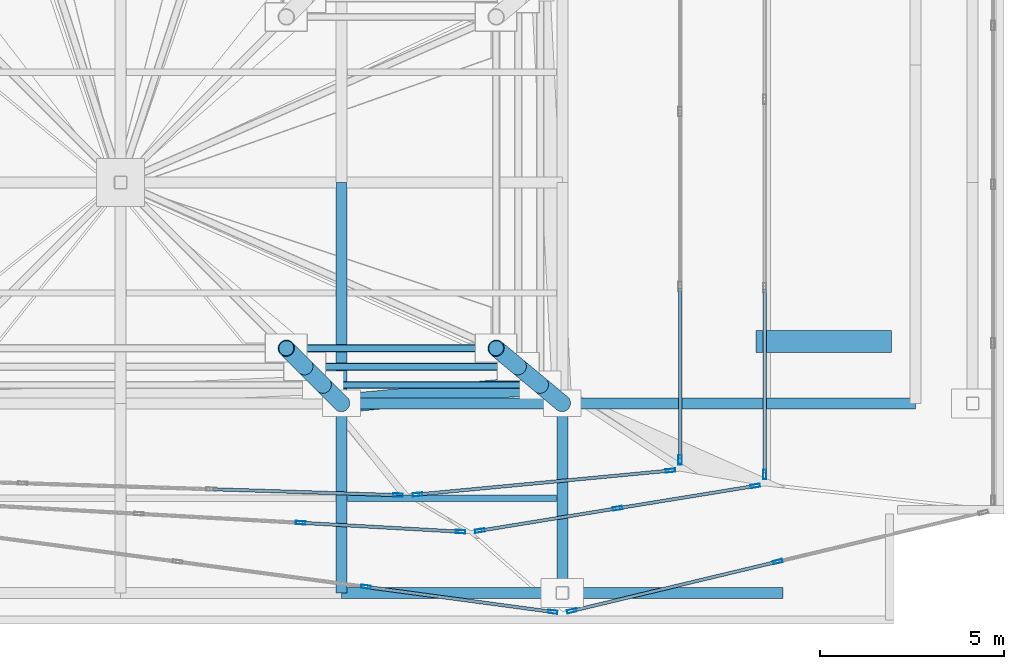
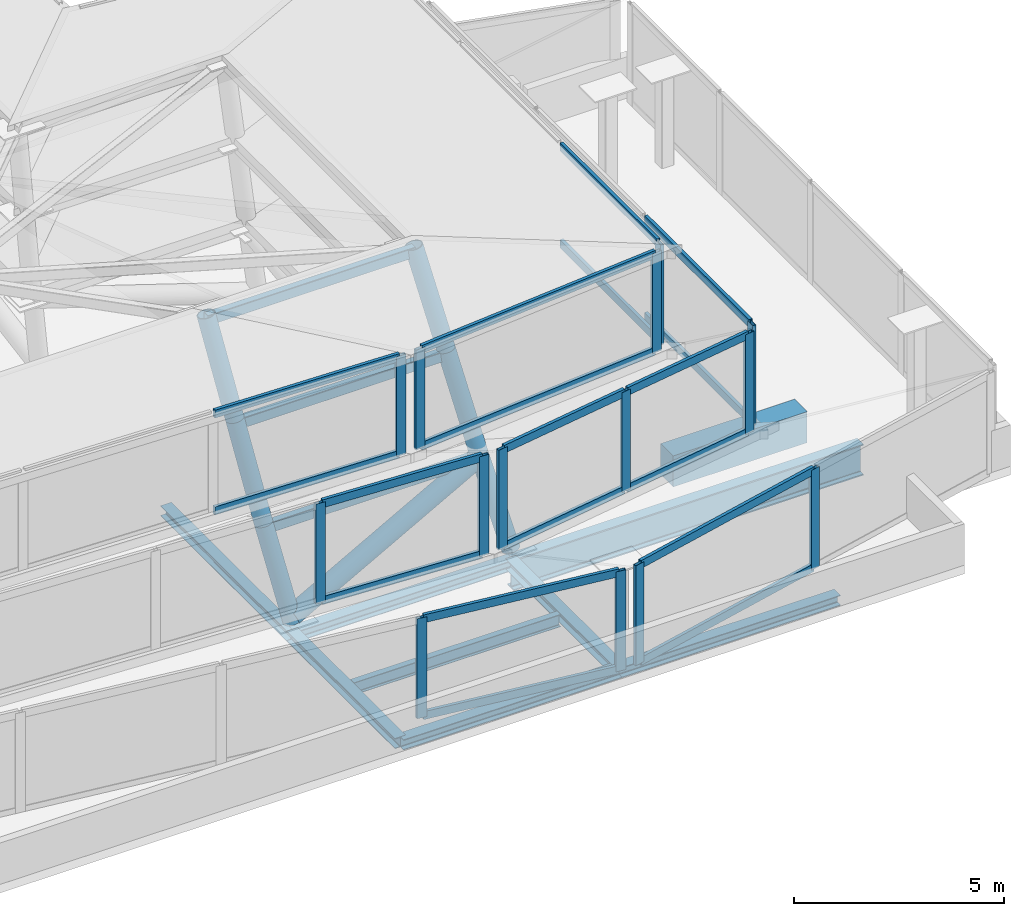
# One storey, part 4 of 15: 39 members, 12 beams, 8 elements without a shape of their own.
"""IFC4 building model written with IfcOpenShell, lengths in metres."""

from ifc_helpers import new_model, si_unit, direction, frame, origin, origin_2d, place, context, subcontext, project, spatial, rectangle, hollow_rectangle, hollow_circle, i_section, extrude, material, layer, layer_set, material_profile, profile_set, type_object, element, aggregate, save


model = new_model("IFC4")

# Units and contexts
model_context = context("Model", 3, precision=1e-05, world=origin(), true_north=direction((0.0, 1.0)))
body_context = subcontext(model_context, "Body", "Model", "MODEL_VIEW")
ifc_project = project(units=[si_unit("LENGTHUNIT", "METRE"), si_unit("AREAUNIT", "SQUARE_METRE"), si_unit("VOLUMEUNIT", "CUBIC_METRE"), si_unit("PLANEANGLEUNIT", "RADIAN"), si_unit("MASSUNIT", "GRAM", prefix="KILO"), si_unit("THERMODYNAMICTEMPERATUREUNIT", "KELVIN"), si_unit("POWERUNIT", "WATT")], contexts=[model_context])

# Site, building, storey
site_placement = place(None, origin())
site = spatial("IfcSite", under=ifc_project, at=site_placement, CompositionType="ELEMENT")
building_placement = place(site_placement, origin())
building = spatial("IfcBuilding", under=site, at=building_placement, Name="Svarakhadi Broadcast Tower", CompositionType="ELEMENT")
storey_placement = place(building_placement, frame((0.0, 0.0, 310.5)))
storey = spatial("IfcBuildingStorey", under=building, at=storey_placement, Name="RF", CompositionType="ELEMENT", Elevation=310.5)

# Beam
ifc_material_1 = material(Name="Steel S355J2 (IS 2062 E350C)", Category="steel")
ifc_material_profile_1 = material_profile(ifc_material_1, i_section(OverallWidth=0.169921875, OverallDepth=0.360107421875, WebThickness=0.008056640625, FlangeThickness=0.0126953125, FilletRadius=0.01806640625, at=origin_2d()), Name="NPB 360x170x57")
ifc_profile_set_1 = profile_set([ifc_material_profile_1], Name="Steel S355J2 (IS 2062 E350C)")
beam_type_1 = type_object("IfcBeamType", Name="Beam_NPB360", PredefinedType="BEAM", material=ifc_profile_set_1)
beam_1_placement = place(storey_placement, frame((18.159912109375, 3.425048828125, -0.429931640625), z_axis=(1.0, 0.0, 0.0), x_axis=(0.0, 1.0, 0.0)))
element("IfcBeam", 1, at=beam_1_placement, inside=storey, type_object=beam_type_1, Name="RF Secondary Composite Beam SB010", PredefinedType="BEAM", context=body_context, shape_type="SweptSolid", body=[
    extrude(i_section(OverallWidth=0.169921875, OverallDepth=0.360107421875, WebThickness=0.008056640625, FlangeThickness=0.0126953125, FilletRadius=0.01806640625, at=origin_2d()), origin(), (0.0, 0.0, 1.0), 5.68017578125),
])

# Curtain wall, members
ifc_material_2 = material(Name="Anodised Bronze Aluminium AA 6063-T6", Category="aluminium")
ifc_layer = layer(ifc_material_2, 0.260009765625)
ifc_layer_set = layer_set([ifc_layer], Name="Anodised Bronze Aluminium AA 6063-T6")
curtain_wall_type = type_object("IfcCurtainWallType", Name="CW_Sys_07", PredefinedType="NOTDEFINED", material=ifc_layer_set)
curtain_wall_1_placement = place(storey_placement, origin())
curtain_wall_1 = element("IfcCurtainWall", 2, at=curtain_wall_1_placement, inside=storey, type_object=curtain_wall_type, Name="Crown Tier 1 Faceted Curtain Wall 1", PredefinedType="NOTDEFINED")
ifc_material_profile_2 = material_profile(ifc_material_2, hollow_rectangle(XDim=0.090087890625, YDim=0.260009765625, WallThickness=0.005615234375, at=origin_2d()), Name="ALU MULLION 260x90x6")
ifc_profile_set_2 = profile_set([ifc_material_profile_2], Name="Anodised Bronze Aluminium AA 6063-T6")
member_type_1 = type_object("IfcMemberType", Name="CW_Sys_07_Mul", PredefinedType="MULLION", material=ifc_profile_set_2)
member_1_placement = place(storey_placement, frame((18.666015625, 1.0146484375, 0.0), z_axis=(0.0, 0.0, 1.0), x_axis=(0.132786779994, 0.991144626711, 0.0)))
member_1 = element("IfcMember", 3, at=member_1_placement, type_object=member_type_1, Name="CW-07 mullion 4", PredefinedType="MULLION", context=body_context, shape_type="SweptSolid", body=[
    extrude(hollow_rectangle(XDim=0.090087890625, YDim=0.260009765625, WallThickness=0.005615234375, at=origin_2d()), origin(), (0.0, 0.0, 1.0), 2.89990234375),
])
member_2_placement = place(storey_placement, frame((23.7373046875, 0.335205078125, 0.0), z_axis=(0.0, 0.0, 1.0), x_axis=(0.132786779994, 0.991144626711, 0.0)))
member_2 = element("IfcMember", 4, at=member_2_placement, type_object=member_type_1, Name="CW-07 mullion 5", PredefinedType="MULLION", context=body_context, shape_type="SweptSolid", body=[
    extrude(hollow_rectangle(XDim=0.090087890625, YDim=0.260009765625, WallThickness=0.005615234375, at=origin_2d()), origin(), (0.0, 0.0, 1.0), 2.89990234375),
])

curtain_wall_2_placement = place(storey_placement, origin())
curtain_wall_2 = element("IfcCurtainWall", 5, at=curtain_wall_2_placement, inside=storey, type_object=curtain_wall_type, Name="Crown Tier 1 Faceted Curtain Wall 2", PredefinedType="NOTDEFINED")
member_3_placement = place(storey_placement, frame((24.2578125, 0.361572265625, 0.0), z_axis=(0.0, 0.0, 1.0), x_axis=(-0.232746369309, 0.972537468468, 0.0)))
member_3 = element("IfcMember", 6, at=member_3_placement, type_object=member_type_1, Name="CW-07 mullion 1", PredefinedType="MULLION", context=body_context, shape_type="SweptSolid", body=[
    extrude(hollow_rectangle(XDim=0.090087890625, YDim=0.260009765625, WallThickness=0.005615234375, at=origin_2d()), origin(), (0.0, 0.0, 1.0), 2.89990234375),
])
member_4_placement = place(storey_placement, frame((29.85009765625, 1.699951171875, 0.0), z_axis=(0.0, 0.0, 1.0), x_axis=(-0.232746369309, 0.972537468468, 0.0)))
member_4 = element("IfcMember", 7, at=member_4_placement, type_object=member_type_1, Name="CW-07 mullion 2", PredefinedType="MULLION", context=body_context, shape_type="SweptSolid", body=[
    extrude(hollow_rectangle(XDim=0.090087890625, YDim=0.260009765625, WallThickness=0.005615234375, at=origin_2d()), origin(), (0.0, 0.0, 1.0), 2.89990234375),
])

curtain_wall_3_placement = place(storey_placement, origin())
curtain_wall_3 = element("IfcCurtainWall", 8, at=curtain_wall_3_placement, inside=storey, type_object=curtain_wall_type, Name="Crown Tier 2 Faceted Curtain Wall 1", PredefinedType="NOTDEFINED")
member_5_placement = place(storey_placement, frame((16.89013671875, 2.756103515625, 2.89990234375), z_axis=(0.0, 0.0, 1.0), x_axis=(0.055470649433, 0.998460318216, 0.0)))
member_5 = element("IfcMember", 9, at=member_5_placement, type_object=member_type_1, Name="CW-07 mullion 4", PredefinedType="MULLION", context=body_context, shape_type="SweptSolid", body=[
    extrude(hollow_rectangle(XDim=0.090087890625, YDim=0.260009765625, WallThickness=0.005615234375, at=origin_2d()), origin(), (0.0, 0.0, 1.0), 2.900146484375),
])
member_6_placement = place(storey_placement, frame((21.2353515625, 2.5146484375, 2.89990234375), z_axis=(0.0, 0.0, 1.0), x_axis=(0.055470649433, 0.998460318216, 0.0)))
member_6 = element("IfcMember", 10, at=member_6_placement, type_object=member_type_1, Name="CW-07 mullion 5", PredefinedType="MULLION", context=body_context, shape_type="SweptSolid", body=[
    extrude(hollow_rectangle(XDim=0.090087890625, YDim=0.260009765625, WallThickness=0.005615234375, at=origin_2d()), origin(), (0.0, 0.0, 1.0), 2.900146484375),
])

curtain_wall_4_placement = place(storey_placement, origin())
curtain_wall_4 = element("IfcCurtainWall", 11, at=curtain_wall_4_placement, inside=storey, type_object=curtain_wall_type, Name="Crown Tier 2 Faceted Curtain Wall 2", PredefinedType="NOTDEFINED")
member_7_placement = place(storey_placement, frame((21.76171875, 2.54248046875, 2.89990234375), z_axis=(0.0, 0.0, 1.0), x_axis=(-0.16039479828, 0.987052941176, 0.0)))
member_7 = element("IfcMember", 12, at=member_7_placement, type_object=member_type_1, Name="CW-07 mullion 1", PredefinedType="MULLION", context=body_context, shape_type="SweptSolid", body=[
    extrude(hollow_rectangle(XDim=0.090087890625, YDim=0.260009765625, WallThickness=0.005615234375, at=origin_2d()), origin(), (0.0, 0.0, 1.0), 2.900146484375),
])
member_8_placement = place(storey_placement, frame((25.5, 3.14990234375, 2.89990234375), z_axis=(0.0, 0.0, 1.0), x_axis=(-0.16039479828, 0.987052941176, 0.0)))
member_8 = element("IfcMember", 13, at=member_8_placement, type_object=member_type_1, Name="CW-07 mullion 2", PredefinedType="MULLION", context=body_context, shape_type="SweptSolid", body=[
    extrude(hollow_rectangle(XDim=0.090087890625, YDim=0.260009765625, WallThickness=0.005615234375, at=origin_2d()), origin(), (0.0, 0.0, 1.0), 2.900146484375),
])
member_9_placement = place(storey_placement, frame((29.23828125, 3.757568359375, 2.89990234375), z_axis=(0.0, 0.0, 1.0), x_axis=(-0.16039479828, 0.987052941176, 0.0)))
member_9 = element("IfcMember", 14, at=member_9_placement, type_object=member_type_1, Name="CW-07 mullion 3", PredefinedType="MULLION", context=body_context, shape_type="SweptSolid", body=[
    extrude(hollow_rectangle(XDim=0.090087890625, YDim=0.260009765625, WallThickness=0.005615234375, at=origin_2d()), origin(), (0.0, 0.0, 1.0), 2.900146484375),
])

# Curtain wall, member
curtain_wall_5_placement = place(storey_placement, origin())
curtain_wall_5 = element("IfcCurtainWall", 15, at=curtain_wall_5_placement, inside=storey, type_object=curtain_wall_type, Name="Crown Tier 2 Faceted Curtain Wall 3", PredefinedType="NOTDEFINED")
member_10_placement = place(storey_placement, frame((29.5, 4.06494140625, 2.89990234375), z_axis=(0.0, 0.0, 1.0), x_axis=(-1.0, 0.0, 0.0)))
member_10 = element("IfcMember", 16, at=member_10_placement, type_object=member_type_1, Name="CW-07 mullion 1", PredefinedType="MULLION", context=body_context, shape_type="SweptSolid", body=[
    extrude(hollow_rectangle(XDim=0.090087890625, YDim=0.260009765625, WallThickness=0.005615234375, at=origin_2d()), origin(), (0.0, 0.0, 1.0), 2.900146484375),
])

curtain_wall_6_placement = place(storey_placement, origin())
curtain_wall_6 = element("IfcCurtainWall", 17, at=curtain_wall_6_placement, inside=storey, type_object=curtain_wall_type, Name="Crown Tier 3 Faceted Curtain Wall 1", PredefinedType="NOTDEFINED")
member_11_placement = place(storey_placement, frame((19.53515625, 3.508544921875, 5.800048828125), z_axis=(0.0, 0.0, 1.0), x_axis=(0.031624387345, 0.999499823974, 0.0)))
member_11 = element("IfcMember", 18, at=member_11_placement, type_object=member_type_1, Name="CW-07 mullion 4", PredefinedType="MULLION", context=body_context, shape_type="SweptSolid", body=[
    extrude(hollow_rectangle(XDim=0.090087890625, YDim=0.260009765625, WallThickness=0.005615234375, at=origin_2d()), origin(), (0.0, 0.0, 1.0), 2.89990234375),
])

# Curtain wall, members
curtain_wall_7_placement = place(storey_placement, origin())
curtain_wall_7 = element("IfcCurtainWall", 19, at=curtain_wall_7_placement, inside=storey, type_object=curtain_wall_type, Name="Crown Tier 3 Faceted Curtain Wall 2", PredefinedType="NOTDEFINED")
member_12_placement = place(storey_placement, frame((20.063720703125, 3.52490234375, 5.800048828125), z_axis=(0.0, 0.0, 1.0), x_axis=(-0.094178787815, 0.995555300285, 0.0)))
member_12 = element("IfcMember", 20, at=member_12_placement, type_object=member_type_1, Name="CW-07 mullion 1", PredefinedType="MULLION", context=body_context, shape_type="SweptSolid", body=[
    extrude(hollow_rectangle(XDim=0.090087890625, YDim=0.260009765625, WallThickness=0.005615234375, at=origin_2d()), origin(), (0.0, 0.0, 1.0), 2.89990234375),
])
member_13_placement = place(storey_placement, frame((26.936279296875, 4.175048828125, 5.800048828125), z_axis=(0.0, 0.0, 1.0), x_axis=(-0.094178787815, 0.995555300285, 0.0)))
member_13 = element("IfcMember", 21, at=member_13_placement, type_object=member_type_1, Name="CW-07 mullion 2", PredefinedType="MULLION", context=body_context, shape_type="SweptSolid", body=[
    extrude(hollow_rectangle(XDim=0.090087890625, YDim=0.260009765625, WallThickness=0.005615234375, at=origin_2d()), origin(), (0.0, 0.0, 1.0), 2.89990234375),
])

# Curtain wall, member
curtain_wall_8_placement = place(storey_placement, origin())
curtain_wall_8 = element("IfcCurtainWall", 22, at=curtain_wall_8_placement, inside=storey, type_object=curtain_wall_type, Name="Crown Tier 3 Faceted Curtain Wall 3", PredefinedType="NOTDEFINED")
member_14_placement = place(storey_placement, frame((27.199951171875, 4.465087890625, 5.800048828125), z_axis=(0.0, 0.0, 1.0), x_axis=(-1.0, 0.0, 0.0)))
member_14 = element("IfcMember", 23, at=member_14_placement, type_object=member_type_1, Name="CW-07 mullion 1", PredefinedType="MULLION", context=body_context, shape_type="SweptSolid", body=[
    extrude(hollow_rectangle(XDim=0.090087890625, YDim=0.260009765625, WallThickness=0.005615234375, at=origin_2d()), origin(), (0.0, 0.0, 1.0), 2.89990234375),
])

# Member
ifc_material_profile_3 = material_profile(ifc_material_2, hollow_rectangle(XDim=0.090087890625, YDim=0.22998046875, WallThickness=0.0048828125, at=origin_2d()), Name="ALU TRANSOM 230x90x5")
ifc_profile_set_3 = profile_set([ifc_material_profile_3], Name="Anodised Bronze Aluminium AA 6063-T6")
member_type_2 = type_object("IfcMemberType", Name="CW_Sys_07_Trn", PredefinedType="USERDEFINED", material=ifc_profile_set_3)
member_15_placement = place(storey_placement, frame((18.71044921875, 1.008544921875, 0.044921875), z_axis=(0.991144564862, -0.132787241649, 0.0), x_axis=(0.132787241649, 0.991144564862, 0.0)))
member_15 = element("IfcMember", 24, at=member_15_placement, type_object=member_type_2, Name="CW-07 transom 4.1", ObjectType="TRANSOM", PredefinedType="USERDEFINED", context=body_context, shape_type="SweptSolid", body=[
    extrude(hollow_rectangle(XDim=0.090087890625, YDim=0.22998046875, WallThickness=0.0048828125, at=origin_2d()), origin(), (0.0, 0.0, 1.0), 5.026611328125),
])

member_16_placement = place(storey_placement, frame((18.71044921875, 1.008544921875, 2.85498046875), z_axis=(0.991144564862, -0.132787241649, 0.0), x_axis=(0.132787241649, 0.991144564862, 0.0)))
member_16 = element("IfcMember", 25, at=member_16_placement, type_object=member_type_2, Name="CW-07 transom 4.2", ObjectType="TRANSOM", PredefinedType="USERDEFINED", context=body_context, shape_type="SweptSolid", body=[
    extrude(hollow_rectangle(XDim=0.090087890625, YDim=0.22998046875, WallThickness=0.0048828125, at=origin_2d()), origin(), (0.0, 0.0, 1.0), 5.026611328125),
])

aggregate(curtain_wall_1, [member_1, member_2, member_15, member_16])

member_17_placement = place(storey_placement, frame((24.301513671875, 0.3720703125, 0.044921875), z_axis=(0.972536667422, 0.232749716477, 0.0), x_axis=(-0.232749716477, 0.972536667422, 0.0)))
member_17 = element("IfcMember", 26, at=member_17_placement, type_object=member_type_2, Name="CW-07 transom 1.1", ObjectType="TRANSOM", PredefinedType="USERDEFINED", context=body_context, shape_type="SweptSolid", body=[
    extrude(hollow_rectangle(XDim=0.090087890625, YDim=0.22998046875, WallThickness=0.0048828125, at=origin_2d()), origin(), (0.0, 0.0, 1.0), 5.66015625),
])

member_18_placement = place(storey_placement, frame((24.301513671875, 0.3720703125, 2.85498046875), z_axis=(0.972536667422, 0.232749716477, 0.0), x_axis=(-0.232749716477, 0.972536667422, 0.0)))
member_18 = element("IfcMember", 27, at=member_18_placement, type_object=member_type_2, Name="CW-07 transom 1.2", ObjectType="TRANSOM", PredefinedType="USERDEFINED", context=body_context, shape_type="SweptSolid", body=[
    extrude(hollow_rectangle(XDim=0.090087890625, YDim=0.22998046875, WallThickness=0.0048828125, at=origin_2d()), origin(), (0.0, 0.0, 1.0), 5.66015625),
])

aggregate(curtain_wall_2, [member_3, member_4, member_17, member_18])

member_19_placement = place(storey_placement, frame((16.93505859375, 2.753662109375, 2.945068359375), z_axis=(0.998458237382, -0.055508091338, 0.0), x_axis=(0.055508091338, 0.998458237382, 0.0)))
member_19 = element("IfcMember", 28, at=member_19_placement, type_object=member_type_2, Name="CW-07 transom 4.1", ObjectType="TRANSOM", PredefinedType="USERDEFINED", context=body_context, shape_type="SweptSolid", body=[
    extrude(hollow_rectangle(XDim=0.090087890625, YDim=0.22998046875, WallThickness=0.0048828125, at=origin_2d()), origin(), (0.0, 0.0, 1.0), 4.261962890625),
])

member_20_placement = place(storey_placement, frame((16.93505859375, 2.753662109375, 5.7548828125), z_axis=(0.998458237382, -0.055508091338, 0.0), x_axis=(0.055508091338, 0.998458237382, 0.0)))
member_20 = element("IfcMember", 29, at=member_20_placement, type_object=member_type_2, Name="CW-07 transom 4.2", ObjectType="TRANSOM", PredefinedType="USERDEFINED", context=body_context, shape_type="SweptSolid", body=[
    extrude(hollow_rectangle(XDim=0.090087890625, YDim=0.22998046875, WallThickness=0.0048828125, at=origin_2d()), origin(), (0.0, 0.0, 1.0), 4.261962890625),
])

aggregate(curtain_wall_3, [member_5, member_6, member_19, member_20])

member_21_placement = place(storey_placement, frame((21.80615234375, 2.5498046875, 2.945068359375), z_axis=(0.98705325733, 0.160392852693, 0.0), x_axis=(-0.160392852693, 0.98705325733, 0.0)))
member_21 = element("IfcMember", 30, at=member_21_placement, type_object=member_type_2, Name="CW-07 transom 1.1", ObjectType="TRANSOM", PredefinedType="USERDEFINED", context=body_context, shape_type="SweptSolid", body=[
    extrude(hollow_rectangle(XDim=0.090087890625, YDim=0.22998046875, WallThickness=0.0048828125, at=origin_2d()), origin(), (0.0, 0.0, 1.0), 3.697265625),
])

member_22_placement = place(storey_placement, frame((21.80615234375, 2.5498046875, 5.7548828125), z_axis=(0.98705325733, 0.160392852693, 0.0), x_axis=(-0.160392852693, 0.98705325733, 0.0)))
member_22 = element("IfcMember", 31, at=member_22_placement, type_object=member_type_2, Name="CW-07 transom 1.2", ObjectType="TRANSOM", PredefinedType="USERDEFINED", context=body_context, shape_type="SweptSolid", body=[
    extrude(hollow_rectangle(XDim=0.090087890625, YDim=0.22998046875, WallThickness=0.0048828125, at=origin_2d()), origin(), (0.0, 0.0, 1.0), 3.697265625),
])

member_23_placement = place(storey_placement, frame((25.54443359375, 3.1572265625, 2.945068359375), z_axis=(0.98705325733, 0.160392852693, 0.0), x_axis=(-0.160392852693, 0.98705325733, 0.0)))
member_23 = element("IfcMember", 32, at=member_23_placement, type_object=member_type_2, Name="CW-07 transom 2.1", ObjectType="TRANSOM", PredefinedType="USERDEFINED", context=body_context, shape_type="SweptSolid", body=[
    extrude(hollow_rectangle(XDim=0.090087890625, YDim=0.22998046875, WallThickness=0.0048828125, at=origin_2d()), origin(), (0.0, 0.0, 1.0), 3.697265625),
])

member_24_placement = place(storey_placement, frame((25.54443359375, 3.1572265625, 5.7548828125), z_axis=(0.98705325733, 0.160392852693, 0.0), x_axis=(-0.160392852693, 0.98705325733, 0.0)))
member_24 = element("IfcMember", 33, at=member_24_placement, type_object=member_type_2, Name="CW-07 transom 2.2", ObjectType="TRANSOM", PredefinedType="USERDEFINED", context=body_context, shape_type="SweptSolid", body=[
    extrude(hollow_rectangle(XDim=0.090087890625, YDim=0.22998046875, WallThickness=0.0048828125, at=origin_2d()), origin(), (0.0, 0.0, 1.0), 3.697265625),
])

aggregate(curtain_wall_4, [member_7, member_8, member_9, member_21, member_22, member_23, member_24])

member_25_placement = place(storey_placement, frame((29.5, 4.110107421875, 2.945068359375), z_axis=(0.0, 1.0, 0.0), x_axis=(-1.0, 0.0, 0.0)))
member_25 = element("IfcMember", 34, at=member_25_placement, type_object=member_type_2, Name="CW-07 transom 1.1", ObjectType="TRANSOM", PredefinedType="USERDEFINED", context=body_context, shape_type="SweptSolid", body=[
    extrude(hollow_rectangle(XDim=0.090087890625, YDim=0.22998046875, WallThickness=0.0048828125, at=origin_2d()), origin(), (0.0, 0.0, 1.0), 4.98486328125),
])

member_26_placement = place(storey_placement, frame((29.5, 4.110107421875, 5.7548828125), z_axis=(0.0, 1.0, 0.0), x_axis=(-1.0, 0.0, 0.0)))
member_26 = element("IfcMember", 35, at=member_26_placement, type_object=member_type_2, Name="CW-07 transom 1.2", ObjectType="TRANSOM", PredefinedType="USERDEFINED", context=body_context, shape_type="SweptSolid", body=[
    extrude(hollow_rectangle(XDim=0.090087890625, YDim=0.22998046875, WallThickness=0.0048828125, at=origin_2d()), origin(), (0.0, 0.0, 1.0), 4.98486328125),
])

aggregate(curtain_wall_5, [member_10, member_25, member_26])

member_27_placement = place(storey_placement, frame((14.505126953125, 3.66748046875, 5.844970703125), z_axis=(0.999499919139, -0.031621379488, 0.0), x_axis=(0.031621379488, 0.999499919139, 0.0)))
member_27 = element("IfcMember", 36, at=member_27_placement, type_object=member_type_2, Name="CW-07 transom 3.1", ObjectType="TRANSOM", PredefinedType="USERDEFINED", context=body_context, shape_type="SweptSolid", body=[
    extrude(hollow_rectangle(XDim=0.090087890625, YDim=0.22998046875, WallThickness=0.0048828125, at=origin_2d()), origin(), (0.0, 0.0, 1.0), 4.987548828125),
])

member_28_placement = place(storey_placement, frame((14.505126953125, 3.66748046875, 8.655029296875), z_axis=(0.999499919139, -0.031621379488, 0.0), x_axis=(0.031621379488, 0.999499919139, 0.0)))
member_28 = element("IfcMember", 37, at=member_28_placement, type_object=member_type_2, Name="CW-07 transom 3.2", ObjectType="TRANSOM", PredefinedType="USERDEFINED", context=body_context, shape_type="SweptSolid", body=[
    extrude(hollow_rectangle(XDim=0.090087890625, YDim=0.22998046875, WallThickness=0.0048828125, at=origin_2d()), origin(), (0.0, 0.0, 1.0), 4.987548828125),
])

aggregate(curtain_wall_6, [member_11, member_27, member_28])

member_29_placement = place(storey_placement, frame((20.108642578125, 3.529296875, 5.844970703125), z_axis=(0.995555825917, 0.094173231247, 0.0), x_axis=(-0.094173231247, 0.995555825917, 0.0)))
member_29 = element("IfcMember", 38, at=member_29_placement, type_object=member_type_2, Name="CW-07 transom 1.1", ObjectType="TRANSOM", PredefinedType="USERDEFINED", context=body_context, shape_type="SweptSolid", body=[
    extrude(hollow_rectangle(XDim=0.090087890625, YDim=0.22998046875, WallThickness=0.0048828125, at=origin_2d()), origin(), (0.0, 0.0, 1.0), 6.81298828125),
])

member_30_placement = place(storey_placement, frame((20.108642578125, 3.529296875, 8.655029296875), z_axis=(0.995555825917, 0.094173231247, 0.0), x_axis=(-0.094173231247, 0.995555825917, 0.0)))
member_30 = element("IfcMember", 39, at=member_30_placement, type_object=member_type_2, Name="CW-07 transom 1.2", ObjectType="TRANSOM", PredefinedType="USERDEFINED", context=body_context, shape_type="SweptSolid", body=[
    extrude(hollow_rectangle(XDim=0.090087890625, YDim=0.22998046875, WallThickness=0.0048828125, at=origin_2d()), origin(), (0.0, 0.0, 1.0), 6.81298828125),
])

aggregate(curtain_wall_7, [member_12, member_13, member_29, member_30])

member_31_placement = place(storey_placement, frame((27.199951171875, 4.510009765625, 5.844970703125), z_axis=(0.0, 1.0, 0.0), x_axis=(-1.0, 0.0, 0.0)))
member_31 = element("IfcMember", 40, at=member_31_placement, type_object=member_type_2, Name="CW-07 transom 1.1", ObjectType="TRANSOM", PredefinedType="USERDEFINED", context=body_context, shape_type="SweptSolid", body=[
    extrude(hollow_rectangle(XDim=0.090087890625, YDim=0.22998046875, WallThickness=0.0048828125, at=origin_2d()), origin(), (0.0, 0.0, 1.0), 4.618408203125),
])

member_32_placement = place(storey_placement, frame((27.199951171875, 4.510009765625, 8.655029296875), z_axis=(0.0, 1.0, 0.0), x_axis=(-1.0, 0.0, 0.0)))
member_32 = element("IfcMember", 41, at=member_32_placement, type_object=member_type_2, Name="CW-07 transom 1.2", ObjectType="TRANSOM", PredefinedType="USERDEFINED", context=body_context, shape_type="SweptSolid", body=[
    extrude(hollow_rectangle(XDim=0.090087890625, YDim=0.22998046875, WallThickness=0.0048828125, at=origin_2d()), origin(), (0.0, 0.0, 1.0), 4.618408203125),
])

aggregate(curtain_wall_8, [member_14, member_31, member_32])

# Beam
ifc_material_3 = material(Name="Concrete C50/60 (IS 456 M60)", Category="concrete")
ifc_material_profile_4 = material_profile(ifc_material_3, rectangle(XDim=0.60009765625, YDim=0.89990234375, at=origin_2d()), Name="RC 600x900")
ifc_profile_set_4 = profile_set([ifc_material_profile_4], Name="Concrete C50/60 (IS 456 M60)")
beam_type_2 = type_object("IfcBeamType", Name="Coupling_RC600", PredefinedType="USERDEFINED", material=ifc_profile_set_4)
beam_2_placement = place(storey_placement, frame((29.260009765625, 7.679931640625, -0.449951171875), z_axis=(1.0, 0.0, 0.0), x_axis=(0.0, 1.0, 0.0)))
element("IfcBeam", 42, at=beam_2_placement, inside=storey, type_object=beam_type_2, Name="RF Stair ST-02 Landing Throat Trimmer Beam CB-01", ObjectType="GIRDER", PredefinedType="USERDEFINED", context=body_context, shape_type="SweptSolid", body=[
    extrude(rectangle(XDim=0.60009765625, YDim=0.89990234375, at=origin_2d()), origin(), (0.0, 0.0, 1.0), 3.679931640625),
])

# Members
ifc_material_4 = material(Name="Steel S460ML (IS 2062 E450BR)", Category="steel")
ifc_material_profile_5 = material_profile(ifc_material_4, hollow_circle(Radius=0.228515625, WallThickness=0.02490234375, at=origin_2d()), Name="CHS 457x25")
ifc_profile_set_5 = profile_set([ifc_material_profile_5], Name="Steel S460ML (IS 2062 E450BR)")
member_type_3 = type_object("IfcMemberType", Name="Crown_Spire_CHS457", PredefinedType="BRACE", material=ifc_profile_set_5)
member_33_placement = place(storey_placement, frame((18.0, 6.0, 0.0), z_axis=(-0.177911828824, 0.177911828824, 0.967829924279), x_axis=(-0.707106781187, -0.707106781187, 0.0)))
element("IfcMember", 43, at=member_33_placement, inside=storey, type_object=member_type_3, Name="Crown Structural Spire Frame Chord SL-01-02", PredefinedType="BRACE", context=body_context, shape_type="SweptSolid", body=[
    extrude(hollow_circle(Radius=0.228515625, WallThickness=0.02490234375, at=origin_2d()), origin(), (0.0, 0.0, 1.0), 2.810302734375),
])
member_34_placement = place(storey_placement, frame((24.0, 6.0, 0.0), z_axis=(-0.212055819659, 0.176684425818, 0.961152923848), x_axis=(-0.640122910398, -0.768272516483, 0.0)))
element("IfcMember", 44, at=member_34_placement, inside=storey, type_object=member_type_3, Name="Crown Structural Spire Frame Chord SL-01-03", PredefinedType="BRACE", context=body_context, shape_type="SweptSolid", body=[
    extrude(hollow_circle(Radius=0.228515625, WallThickness=0.02490234375, at=origin_2d()), origin(), (0.0, 0.0, 1.0), 2.829833984375),
])
member_35_placement = place(storey_placement, frame((17.5, 6.5, 2.719970703125), z_axis=(-0.167498316665, 0.167498316665, 0.971539308432), x_axis=(-0.707106781187, -0.707106781187, 0.0)))
element("IfcMember", 45, at=member_35_placement, inside=storey, type_object=member_type_3, Name="Crown Structural Spire Frame Chord SL-01-10", PredefinedType="BRACE", context=body_context, shape_type="SweptSolid", body=[
    extrude(hollow_circle(Radius=0.228515625, WallThickness=0.02490234375, at=origin_2d()), origin(), (0.0, 0.0, 1.0), 2.985107421875),
])
member_36_placement = place(storey_placement, frame((23.39990234375, 6.5, 2.719970703125), z_axis=(-0.199721913175, 0.166475571096, 0.965607084495), x_axis=(-0.640276648024, -0.768144396579, 0.0)))
element("IfcMember", 46, at=member_36_placement, inside=storey, type_object=member_type_3, Name="Crown Structural Spire Frame Chord SL-01-11", PredefinedType="BRACE", context=body_context, shape_type="SweptSolid", body=[
    extrude(hollow_circle(Radius=0.228515625, WallThickness=0.02490234375, at=origin_2d()), origin(), (0.0, 0.0, 1.0), 3.00341796875),
])
member_37_placement = place(storey_placement, frame((17.0, 7.0, 5.6201171875), z_axis=(-0.167511626872, 0.167511626872, 0.971534718744), x_axis=(-0.707106781187, -0.707106781187, 0.0)))
element("IfcMember", 47, at=member_37_placement, inside=storey, type_object=member_type_3, Name="Crown Structural Spire Frame Chord SL-01-18", PredefinedType="BRACE", context=body_context, shape_type="SweptSolid", body=[
    extrude(hollow_circle(Radius=0.228515625, WallThickness=0.02490234375, at=origin_2d()), origin(), (0.0, 0.0, 1.0), 2.98486328125),
])
member_38_placement = place(storey_placement, frame((22.800048828125, 7.0, 5.6201171875), z_axis=(-0.19981563895, 0.166485935138, 0.965585907018), x_axis=(-0.640122910398, -0.768272516483, 0.0)))
element("IfcMember", 48, at=member_38_placement, inside=storey, type_object=member_type_3, Name="Crown Structural Spire Frame Chord SL-01-19", PredefinedType="BRACE", context=body_context, shape_type="SweptSolid", body=[
    extrude(hollow_circle(Radius=0.228515625, WallThickness=0.02490234375, at=origin_2d()), origin(), (0.0, 0.0, 1.0), 3.003173828125),
])
ifc_material_profile_6 = material_profile(ifc_material_4, hollow_circle(Radius=0.25390625, WallThickness=0.02490234375, at=origin_2d()), Name="CHS 508x25")
ifc_profile_set_6 = profile_set([ifc_material_profile_6], Name="Steel S460ML (IS 2062 E450BR)")
member_type_4 = type_object("IfcMemberType", Name="Exo_Brace_CHS508", PredefinedType="BRACE", material=ifc_profile_set_6)
member_39_placement = place(storey_placement, frame((18.0, 6.0, 0.14990234375), z_axis=(0.909299364465, 0.084195908239, 0.407536151548), x_axis=(-0.092199863775, 0.995740520979, 0.0)))
element("IfcMember", 49, at=member_39_placement, inside=storey, type_object=member_type_4, Name="Crown Tier 1 Diagonal Brace EX-05-02", PredefinedType="BRACE", context=body_context, shape_type="SweptSolid", body=[
    extrude(hollow_circle(Radius=0.25390625, WallThickness=0.02490234375, at=origin_2d()), origin(), (0.0, 0.0, 1.0), 5.9384765625),
])

# Beams
ifc_material_profile_7 = material_profile(ifc_material_1, i_section(OverallWidth=0.300048828125, OverallDepth=0.300048828125, WebThickness=0.010986328125, FlangeThickness=0.01904296875, FilletRadius=0.027099609375, at=origin_2d()), Name="WPB 300x300x117")
ifc_profile_set_7 = profile_set([ifc_material_profile_7], Name="Steel S355J2 (IS 2062 E350C)")
beam_type_3 = type_object("IfcBeamType", Name="Girder_WPB300", PredefinedType="USERDEFINED", material=ifc_profile_set_7)
for number, where, z_axis, x_axis, name in (
    (50, (18.0, 0.85009765625, -0.39990234375), (1.0, 0.0, 0.0), (0.0, 1.0, 0.0), "RF Primary E-W Girder G006"),
    (51, (24.0, 0.85009765625, -0.39990234375), (1.0, 0.0, 0.0), (0.0, 1.0, 0.0), "RF Primary E-W Girder G007"),
    (52, (18.0, 6.0, -0.39990234375), (1.0, 0.0, 0.0), (0.0, 1.0, 0.0), "RF Primary E-W Girder G011"),
):
    element("IfcBeam", number, at=place(storey_placement, frame(where, z_axis=z_axis, x_axis=x_axis)), inside=storey, type_object=beam_type_3, Name=name, ObjectType="GIRDER", PredefinedType="USERDEFINED", context=body_context, shape_type="SweptSolid", body=[
        extrude(i_section(OverallWidth=0.300048828125, OverallDepth=0.300048828125, WebThickness=0.010986328125, FlangeThickness=0.01904296875, FilletRadius=0.027099609375, at=origin_2d()), origin(), (0.0, 0.0, 1.0), 6.0),
    ])
beam_3_placement = place(storey_placement, frame((18.0, 0.85009765625, -0.39990234375), z_axis=(0.0, 1.0, 0.0), x_axis=(-1.0, 0.0, 0.0)))
element("IfcBeam", 53, at=beam_3_placement, inside=storey, type_object=beam_type_3, Name="RF Primary N-S Girder G036", ObjectType="GIRDER", PredefinedType="USERDEFINED", context=body_context, shape_type="SweptSolid", body=[
    extrude(i_section(OverallWidth=0.300048828125, OverallDepth=0.300048828125, WebThickness=0.010986328125, FlangeThickness=0.01904296875, FilletRadius=0.027099609375, at=origin_2d()), origin(), (0.0, 0.0, 1.0), 5.14990234375),
])
beam_4_placement = place(storey_placement, frame((18.0, 6.0, -0.39990234375), z_axis=(0.0, 1.0, 0.0), x_axis=(-1.0, 0.0, 0.0)))
element("IfcBeam", 54, at=beam_4_placement, inside=storey, type_object=beam_type_3, Name="RF Primary N-S Girder G037", ObjectType="GIRDER", PredefinedType="USERDEFINED", context=body_context, shape_type="SweptSolid", body=[
    extrude(i_section(OverallWidth=0.300048828125, OverallDepth=0.300048828125, WebThickness=0.010986328125, FlangeThickness=0.01904296875, FilletRadius=0.027099609375, at=origin_2d()), origin(), (0.0, 0.0, 1.0), 6.0),
])
beam_5_placement = place(storey_placement, frame((24.0, 0.85009765625, -0.39990234375), z_axis=(0.0, 1.0, 0.0), x_axis=(-1.0, 0.0, 0.0)))
element("IfcBeam", 55, at=beam_5_placement, inside=storey, type_object=beam_type_3, Name="RF Primary N-S Girder G040", ObjectType="GIRDER", PredefinedType="USERDEFINED", context=body_context, shape_type="SweptSolid", body=[
    extrude(i_section(OverallWidth=0.300048828125, OverallDepth=0.300048828125, WebThickness=0.010986328125, FlangeThickness=0.01904296875, FilletRadius=0.027099609375, at=origin_2d()), origin(), (0.0, 0.0, 1.0), 5.14990234375),
])
ifc_material_profile_8 = material_profile(ifc_material_4, i_section(OverallWidth=0.300048828125, OverallDepth=0.89990234375, WebThickness=0.0185546875, FlangeThickness=0.034912109375, FilletRadius=0.030029296875, at=origin_2d()), Name="WPB 900x300x291")
ifc_profile_set_8 = profile_set([ifc_material_profile_8], Name="Steel S460ML (IS 2062 E450BR)")
beam_type_4 = type_object("IfcBeamType", Name="Girder_WPB900", PredefinedType="USERDEFINED", material=ifc_profile_set_8)
beam_6_placement = place(storey_placement, frame((24.0, 6.0, -0.699951171875), z_axis=(1.0, 0.0, 0.0), x_axis=(0.0, 1.0, 0.0)))
element("IfcBeam", 56, at=beam_6_placement, inside=storey, type_object=beam_type_4, Name="RF Primary E-W Girder G012", ObjectType="GIRDER", PredefinedType="USERDEFINED", context=body_context, shape_type="SweptSolid", body=[
    extrude(i_section(OverallWidth=0.300048828125, OverallDepth=0.89990234375, WebThickness=0.0185546875, FlangeThickness=0.034912109375, FilletRadius=0.030029296875, at=origin_2d()), origin(), (0.0, 0.0, 1.0), 9.60009765625),
])
ifc_material_profile_9 = material_profile(ifc_material_4, hollow_rectangle(XDim=0.199951171875, YDim=0.300048828125, WallThickness=0.012451171875, InnerFilletRadius=0.012451171875, OuterFilletRadius=0.02490234375, at=origin_2d()), Name="RHS 300x200x12.5")
ifc_profile_set_9 = profile_set([ifc_material_profile_9], Name="Steel S460ML (IS 2062 E450BR)")
beam_type_5 = type_object("IfcBeamType", Name="Spandrel_RHS300", PredefinedType="SPANDREL", material=ifc_profile_set_9)
beam_7_placement = place(storey_placement, frame((17.5, 6.5, 2.570068359375), z_axis=(1.0, 0.0, 0.0), x_axis=(0.0, 1.0, 0.0)))
element("IfcBeam", 57, at=beam_7_placement, inside=storey, type_object=beam_type_5, Name="Crown Tier 1 Stiffening Ring Beam CR-R1-2", PredefinedType="SPANDREL", context=body_context, shape_type="SweptSolid", body=[
    extrude(hollow_rectangle(XDim=0.199951171875, YDim=0.300048828125, WallThickness=0.012451171875, InnerFilletRadius=0.012451171875, OuterFilletRadius=0.02490234375, at=origin_2d()), origin(), (0.0, 0.0, 1.0), 5.89990234375),
])
beam_8_placement = place(storey_placement, frame((17.0, 7.0, 5.469970703125), z_axis=(1.0, 0.0, 0.0), x_axis=(0.0, 1.0, 0.0)))
element("IfcBeam", 58, at=beam_8_placement, inside=storey, type_object=beam_type_5, Name="Crown Tier 2 Stiffening Ring Beam CR-R2-2", PredefinedType="SPANDREL", context=body_context, shape_type="SweptSolid", body=[
    extrude(hollow_rectangle(XDim=0.199951171875, YDim=0.300048828125, WallThickness=0.012451171875, InnerFilletRadius=0.012451171875, OuterFilletRadius=0.02490234375, at=origin_2d()), origin(), (0.0, 0.0, 1.0), 5.800048828125),
])
beam_9_placement = place(storey_placement, frame((16.5, 7.5, 8.3701171875), z_axis=(1.0, 0.0, 0.0), x_axis=(0.0, 1.0, 0.0)))
element("IfcBeam", 59, at=beam_9_placement, inside=storey, type_object=beam_type_5, Name="Crown Tier 3 Stiffening Ring Beam CR-R3-2", PredefinedType="SPANDREL", context=body_context, shape_type="SweptSolid", body=[
    extrude(hollow_rectangle(XDim=0.199951171875, YDim=0.300048828125, WallThickness=0.012451171875, InnerFilletRadius=0.012451171875, OuterFilletRadius=0.02490234375, at=origin_2d()), origin(), (0.0, 0.0, 1.0), 5.699951171875),
])

save(model, "model.ifc")
